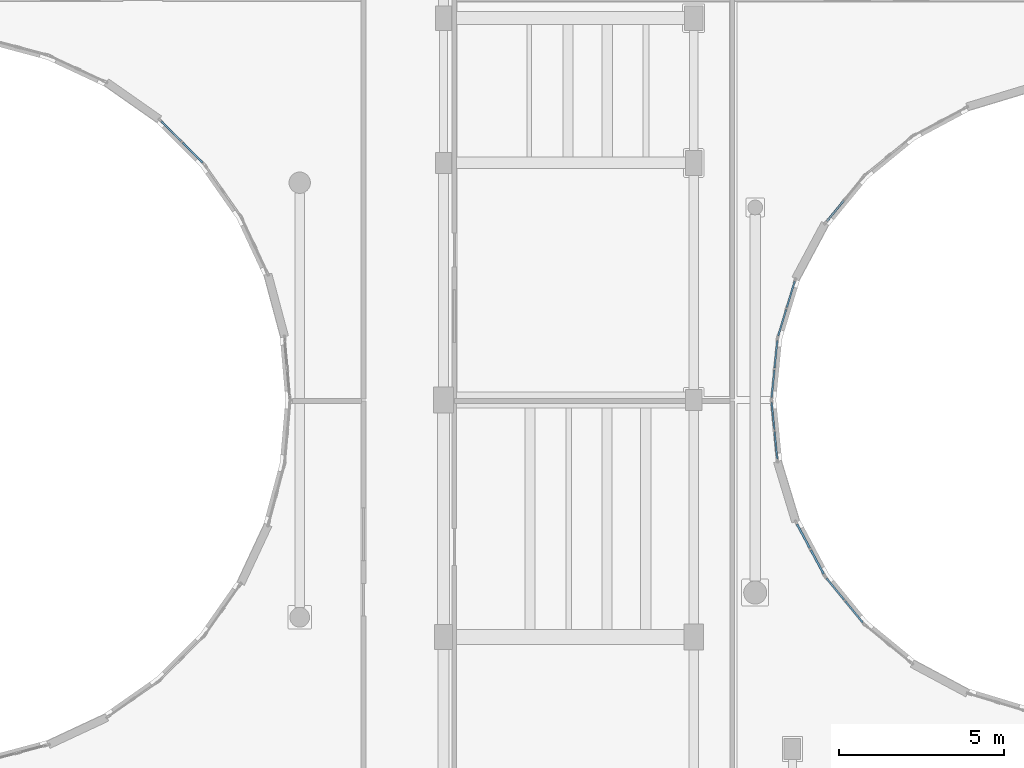
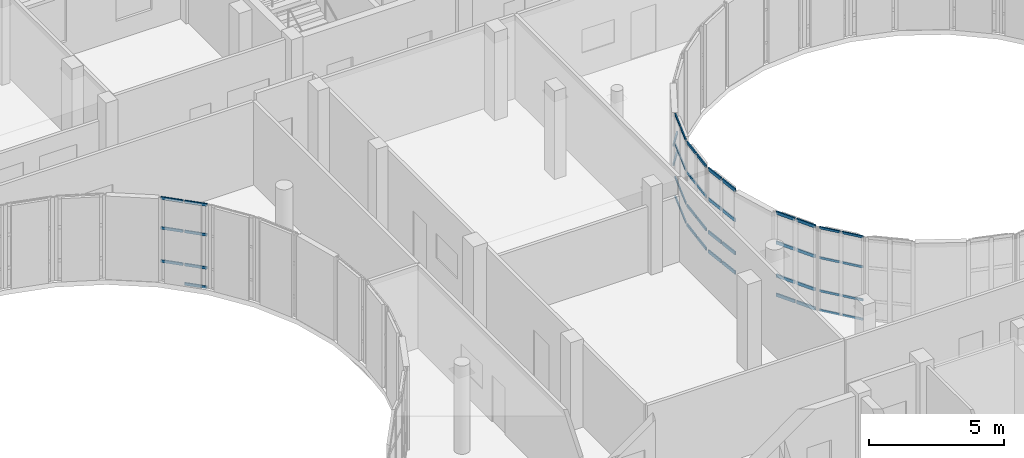
# One storey, part 50 of 92: 49 members, 7 elements without a shape of their own.
"""IFC4 building model written with IfcOpenShell, lengths in metres."""

from ifc_helpers import new_model, si_unit, direction, frame, origin, origin_2d, place, context, subcontext, project, spatial, hollow_rectangle, extrude, material, layer, layer_set, material_profile, profile_set, type_object, element, aggregate, save


model = new_model("IFC4")

# Units and contexts
model_context = context("Model", 3, precision=1e-05, world=origin(), true_north=direction((0.0, 1.0)))
body_context = subcontext(model_context, "Body", "Model", "MODEL_VIEW")
ifc_project = project(units=[si_unit("LENGTHUNIT", "METRE"), si_unit("AREAUNIT", "SQUARE_METRE"), si_unit("VOLUMEUNIT", "CUBIC_METRE"), si_unit("PLANEANGLEUNIT", "RADIAN"), si_unit("MASSUNIT", "GRAM", prefix="KILO")], contexts=[model_context])

# Site, building, storey
site_placement = place(None, origin())
site = spatial("IfcSite", under=ifc_project, at=site_placement, CompositionType="ELEMENT")
building_placement = place(site_placement, origin())
building = spatial("IfcBuilding", under=site, at=building_placement, Name="Kelanivale Promenade Academy", CompositionType="ELEMENT")
storey_placement = place(building_placement, frame((0.0, 0.0, 8.199951171875)))
storey = spatial("IfcBuildingStorey", under=building, at=storey_placement, Name="L02", CompositionType="ELEMENT", Elevation=8.199951171875)

# Curtain wall, members
ifc_material_1 = material(Name="Bronze anodised aluminium and solar-control low-E glass", Category="aluminium")
ifc_layer_1 = layer(ifc_material_1, 0.179931640625)
ifc_layer_set_1 = layer_set([ifc_layer_1], Name="Bronze anodised aluminium and solar-control low-E glass")
curtain_wall_type_1 = type_object("IfcCurtainWallType", Name="CW-17 Curtain Wall 1950mm Module", PredefinedType="USERDEFINED", material=ifc_layer_set_1)
curtain_wall_1_placement = place(storey_placement, origin())
curtain_wall_1 = element("IfcCurtainWall", 1, at=curtain_wall_1_placement, inside=storey, type_object=curtain_wall_type_1, Name="L02 courtyard curtain wall CW-17", ObjectType="COURTYARD SCREEN GLAZING", PredefinedType="USERDEFINED")
ifc_material_2 = material(Name="Bronze anodised aluminium EN AW-6063 T6", Category="aluminium")
ifc_material_profile_1 = material_profile(ifc_material_2, hollow_rectangle(XDim=0.050048828125, YDim=0.10009765625, WallThickness=0.0029296875, at=origin_2d()), Name="ALU 50x100x3.0")
ifc_profile_set_1 = profile_set([ifc_material_profile_1], Name="Bronze anodised aluminium EN AW-6063 T6")
member_type_1 = type_object("IfcMemberType", Name="CWT-01 ALU 50x100x3.0", PredefinedType="USERDEFINED", material=ifc_profile_set_1)
member_1_placement = place(storey_placement, frame((89.86767578125, 60.404541015625, 0.025146484375), z_axis=(-0.2901943181, -0.956967741223, 0.0), x_axis=(0.956967741223, -0.2901943181, 0.0)))
member_1 = element("IfcMember", 2, at=member_1_placement, type_object=member_type_1, Name="CW-17 transom 1.1", ObjectType="TRANSOM", PredefinedType="USERDEFINED", context=body_context, shape_type="SweptSolid", body=[
    extrude(hollow_rectangle(XDim=0.050048828125, YDim=0.10009765625, WallThickness=0.0029296875, at=origin_2d()), origin(), (0.0, 0.0, 1.0), 0.833740234375),
])
member_2_placement = place(storey_placement, frame((89.86767578125, 60.404541015625, 0.900146484375), z_axis=(-0.2901943181, -0.956967741223, 0.0), x_axis=(0.956967741223, -0.2901943181, 0.0)))
member_2 = element("IfcMember", 3, at=member_2_placement, type_object=member_type_1, Name="CW-17 transom 1.2", ObjectType="TRANSOM", PredefinedType="USERDEFINED", context=body_context, shape_type="SweptSolid", body=[
    extrude(hollow_rectangle(XDim=0.050048828125, YDim=0.10009765625, WallThickness=0.0029296875, at=origin_2d()), origin(), (0.0, 0.0, 1.0), 0.833740234375),
])
member_3_placement = place(storey_placement, frame((89.86767578125, 60.404541015625, 2.400146484375), z_axis=(-0.2901943181, -0.956967741223, 0.0), x_axis=(0.956967741223, -0.2901943181, 0.0)))
member_3 = element("IfcMember", 4, at=member_3_placement, type_object=member_type_1, Name="CW-17 transom 1.3", ObjectType="TRANSOM", PredefinedType="USERDEFINED", context=body_context, shape_type="SweptSolid", body=[
    extrude(hollow_rectangle(XDim=0.050048828125, YDim=0.10009765625, WallThickness=0.0029296875, at=origin_2d()), origin(), (0.0, 0.0, 1.0), 0.833740234375),
])
member_4_placement = place(storey_placement, frame((89.86767578125, 60.404541015625, 3.755126953125), z_axis=(-0.2901943181, -0.956967741223, 0.0), x_axis=(0.956967741223, -0.2901943181, 0.0)))
member_4 = element("IfcMember", 5, at=member_4_placement, type_object=member_type_1, Name="CW-17 transom 1.4", ObjectType="TRANSOM", PredefinedType="USERDEFINED", context=body_context, shape_type="SweptSolid", body=[
    extrude(hollow_rectangle(XDim=0.050048828125, YDim=0.10009765625, WallThickness=0.0029296875, at=origin_2d()), origin(), (0.0, 0.0, 1.0), 0.833740234375),
])
member_5_placement = place(storey_placement, frame((89.6083984375, 59.54931640625, 0.025146484375), z_axis=(-0.2901943181, -0.956967741223, 0.0), x_axis=(0.956967741223, -0.2901943181, 0.0)))
member_5 = element("IfcMember", 6, at=member_5_placement, type_object=member_type_1, Name="CW-17 transom 2.1", ObjectType="TRANSOM", PredefinedType="USERDEFINED", context=body_context, shape_type="SweptSolid", body=[
    extrude(hollow_rectangle(XDim=0.050048828125, YDim=0.10009765625, WallThickness=0.0029296875, at=origin_2d()), origin(), (0.0, 0.0, 1.0), 0.833740234375),
])
member_6_placement = place(storey_placement, frame((89.6083984375, 59.54931640625, 0.900146484375), z_axis=(-0.2901943181, -0.956967741223, 0.0), x_axis=(0.956967741223, -0.2901943181, 0.0)))
member_6 = element("IfcMember", 7, at=member_6_placement, type_object=member_type_1, Name="CW-17 transom 2.2", ObjectType="TRANSOM", PredefinedType="USERDEFINED", context=body_context, shape_type="SweptSolid", body=[
    extrude(hollow_rectangle(XDim=0.050048828125, YDim=0.10009765625, WallThickness=0.0029296875, at=origin_2d()), origin(), (0.0, 0.0, 1.0), 0.833740234375),
])
member_7_placement = place(storey_placement, frame((89.6083984375, 59.54931640625, 2.400146484375), z_axis=(-0.2901943181, -0.956967741223, 0.0), x_axis=(0.956967741223, -0.2901943181, 0.0)))
member_7 = element("IfcMember", 8, at=member_7_placement, type_object=member_type_1, Name="CW-17 transom 2.3", ObjectType="TRANSOM", PredefinedType="USERDEFINED", context=body_context, shape_type="SweptSolid", body=[
    extrude(hollow_rectangle(XDim=0.050048828125, YDim=0.10009765625, WallThickness=0.0029296875, at=origin_2d()), origin(), (0.0, 0.0, 1.0), 0.833740234375),
])
member_8_placement = place(storey_placement, frame((89.6083984375, 59.54931640625, 3.755126953125), z_axis=(-0.2901943181, -0.956967741223, 0.0), x_axis=(0.956967741223, -0.2901943181, 0.0)))
member_8 = element("IfcMember", 9, at=member_8_placement, type_object=member_type_1, Name="CW-17 transom 2.4", ObjectType="TRANSOM", PredefinedType="USERDEFINED", context=body_context, shape_type="SweptSolid", body=[
    extrude(hollow_rectangle(XDim=0.050048828125, YDim=0.10009765625, WallThickness=0.0029296875, at=origin_2d()), origin(), (0.0, 0.0, 1.0), 0.833740234375),
])
aggregate(curtain_wall_1, [member_1, member_2, member_3, member_4, member_5, member_6, member_7, member_8])

ifc_layer_2 = layer(ifc_material_1, 0.159912109375)
ifc_layer_set_2 = layer_set([ifc_layer_2], Name="Bronze anodised aluminium and solar-control low-E glass")
curtain_wall_type_2 = type_object("IfcCurtainWallType", Name="CW-21 Curtain Wall 1650mm Module", PredefinedType="USERDEFINED", material=ifc_layer_set_2)
curtain_wall_2_placement = place(storey_placement, origin())
curtain_wall_2 = element("IfcCurtainWall", 10, at=curtain_wall_2_placement, inside=storey, type_object=curtain_wall_type_2, Name="L02 courtyard curtain wall CW-21", ObjectType="COURTYARD SCREEN GLAZING", PredefinedType="USERDEFINED")
member_9_placement = place(storey_placement, frame((90.8310546875, 51.38671875, 0.025146484375), z_axis=(0.634027534728, -0.773310471419, 0.0), x_axis=(0.773310471419, 0.634027534728, 0.0)))
member_9 = element("IfcMember", 11, at=member_9_placement, type_object=member_type_1, Name="CW-21 transom 1.1", ObjectType="TRANSOM", PredefinedType="USERDEFINED", context=body_context, shape_type="SweptSolid", body=[
    extrude(hollow_rectangle(XDim=0.050048828125, YDim=0.10009765625, WallThickness=0.0029296875, at=origin_2d()), origin(), (0.0, 0.0, 1.0), 0.84130859375),
])
member_10_placement = place(storey_placement, frame((90.8310546875, 51.38671875, 0.900146484375), z_axis=(0.634027534728, -0.773310471419, 0.0), x_axis=(0.773310471419, 0.634027534728, 0.0)))
member_10 = element("IfcMember", 12, at=member_10_placement, type_object=member_type_1, Name="CW-21 transom 1.2", ObjectType="TRANSOM", PredefinedType="USERDEFINED", context=body_context, shape_type="SweptSolid", body=[
    extrude(hollow_rectangle(XDim=0.050048828125, YDim=0.10009765625, WallThickness=0.0029296875, at=origin_2d()), origin(), (0.0, 0.0, 1.0), 0.84130859375),
])
member_11_placement = place(storey_placement, frame((90.8310546875, 51.38671875, 2.400146484375), z_axis=(0.634027534728, -0.773310471419, 0.0), x_axis=(0.773310471419, 0.634027534728, 0.0)))
member_11 = element("IfcMember", 13, at=member_11_placement, type_object=member_type_1, Name="CW-21 transom 1.3", ObjectType="TRANSOM", PredefinedType="USERDEFINED", context=body_context, shape_type="SweptSolid", body=[
    extrude(hollow_rectangle(XDim=0.050048828125, YDim=0.10009765625, WallThickness=0.0029296875, at=origin_2d()), origin(), (0.0, 0.0, 1.0), 0.84130859375),
])
member_12_placement = place(storey_placement, frame((90.8310546875, 51.38671875, 3.755126953125), z_axis=(0.634027534728, -0.773310471419, 0.0), x_axis=(0.773310471419, 0.634027534728, 0.0)))
member_12 = element("IfcMember", 14, at=member_12_placement, type_object=member_type_1, Name="CW-21 transom 1.4", ObjectType="TRANSOM", PredefinedType="USERDEFINED", context=body_context, shape_type="SweptSolid", body=[
    extrude(hollow_rectangle(XDim=0.050048828125, YDim=0.10009765625, WallThickness=0.0029296875, at=origin_2d()), origin(), (0.0, 0.0, 1.0), 0.84130859375),
])
member_13_placement = place(storey_placement, frame((91.402587890625, 50.689697265625, 0.025146484375), z_axis=(0.634169827677, -0.773193785324, 0.0), x_axis=(0.773193785324, 0.634169827677, 0.0)))
member_13 = element("IfcMember", 15, at=member_13_placement, type_object=member_type_1, Name="CW-21 transom 2.1", ObjectType="TRANSOM", PredefinedType="USERDEFINED", context=body_context, shape_type="SweptSolid", body=[
    extrude(hollow_rectangle(XDim=0.050048828125, YDim=0.10009765625, WallThickness=0.0029296875, at=origin_2d()), origin(), (0.0, 0.0, 1.0), 0.841064453125),
])
member_14_placement = place(storey_placement, frame((91.402587890625, 50.689697265625, 0.900146484375), z_axis=(0.634169827677, -0.773193785324, 0.0), x_axis=(0.773193785324, 0.634169827677, 0.0)))
member_14 = element("IfcMember", 16, at=member_14_placement, type_object=member_type_1, Name="CW-21 transom 2.2", ObjectType="TRANSOM", PredefinedType="USERDEFINED", context=body_context, shape_type="SweptSolid", body=[
    extrude(hollow_rectangle(XDim=0.050048828125, YDim=0.10009765625, WallThickness=0.0029296875, at=origin_2d()), origin(), (0.0, 0.0, 1.0), 0.841064453125),
])
member_15_placement = place(storey_placement, frame((91.402587890625, 50.689697265625, 2.400146484375), z_axis=(0.634169827677, -0.773193785324, 0.0), x_axis=(0.773193785324, 0.634169827677, 0.0)))
member_15 = element("IfcMember", 17, at=member_15_placement, type_object=member_type_1, Name="CW-21 transom 2.3", ObjectType="TRANSOM", PredefinedType="USERDEFINED", context=body_context, shape_type="SweptSolid", body=[
    extrude(hollow_rectangle(XDim=0.050048828125, YDim=0.10009765625, WallThickness=0.0029296875, at=origin_2d()), origin(), (0.0, 0.0, 1.0), 0.841064453125),
])
member_16_placement = place(storey_placement, frame((91.402587890625, 50.689697265625, 3.755126953125), z_axis=(0.634169827677, -0.773193785324, 0.0), x_axis=(0.773193785324, 0.634169827677, 0.0)))
member_16 = element("IfcMember", 18, at=member_16_placement, type_object=member_type_1, Name="CW-21 transom 2.4", ObjectType="TRANSOM", PredefinedType="USERDEFINED", context=body_context, shape_type="SweptSolid", body=[
    extrude(hollow_rectangle(XDim=0.050048828125, YDim=0.10009765625, WallThickness=0.0029296875, at=origin_2d()), origin(), (0.0, 0.0, 1.0), 0.841064453125),
])
aggregate(curtain_wall_2, [member_9, member_10, member_11, member_12, member_13, member_14, member_15, member_16])

ifc_layer_3 = layer(ifc_material_1, 0.159912109375)
ifc_layer_set_3 = layer_set([ifc_layer_3], Name="Bronze anodised aluminium and solar-control low-E glass")
curtain_wall_type_3 = type_object("IfcCurtainWallType", Name="CW-18 Curtain Wall 1200mm Module", PredefinedType="USERDEFINED", material=ifc_layer_set_3)
curtain_wall_3_placement = place(storey_placement, origin())
curtain_wall_3 = element("IfcCurtainWall", 19, at=curtain_wall_3_placement, inside=storey, type_object=curtain_wall_type_3, Name="L02 courtyard curtain wall CW-18", ObjectType="COURTYARD SCREEN GLAZING", PredefinedType="USERDEFINED")
ifc_material_profile_2 = material_profile(ifc_material_2, hollow_rectangle(XDim=0.050048828125, YDim=0.1201171875, WallThickness=0.0029296875, at=origin_2d()), Name="ALU 50x120x3.0")
ifc_profile_set_2 = profile_set([ifc_material_profile_2], Name="Bronze anodised aluminium EN AW-6063 T6")
member_type_2 = type_object("IfcMemberType", Name="CWT-02 ALU 50x120x3.0", PredefinedType="USERDEFINED", material=ifc_profile_set_2)
member_17_placement = place(storey_placement, frame((89.338134765625, 58.607177734375, 0.025146484375), z_axis=(-0.098411444095, -0.995145812266, 0.0), x_axis=(0.995145812266, -0.098411444095, 0.0)))
member_17 = element("IfcMember", 20, at=member_17_placement, type_object=member_type_2, Name="CW-18 transom 1.1", ObjectType="TRANSOM", PredefinedType="USERDEFINED", context=body_context, shape_type="SweptSolid", body=[
    extrude(hollow_rectangle(XDim=0.050048828125, YDim=0.1201171875, WallThickness=0.0029296875, at=origin_2d()), origin(), (0.0, 0.0, 1.0), 0.841064453125),
])
member_18_placement = place(storey_placement, frame((89.338134765625, 58.607177734375, 0.900146484375), z_axis=(-0.098411444095, -0.995145812266, 0.0), x_axis=(0.995145812266, -0.098411444095, 0.0)))
member_18 = element("IfcMember", 21, at=member_18_placement, type_object=member_type_2, Name="CW-18 transom 1.2", ObjectType="TRANSOM", PredefinedType="USERDEFINED", context=body_context, shape_type="SweptSolid", body=[
    extrude(hollow_rectangle(XDim=0.050048828125, YDim=0.1201171875, WallThickness=0.0029296875, at=origin_2d()), origin(), (0.0, 0.0, 1.0), 0.841064453125),
])
member_19_placement = place(storey_placement, frame((89.338134765625, 58.607177734375, 2.400146484375), z_axis=(-0.098411444095, -0.995145812266, 0.0), x_axis=(0.995145812266, -0.098411444095, 0.0)))
member_19 = element("IfcMember", 22, at=member_19_placement, type_object=member_type_2, Name="CW-18 transom 1.3", ObjectType="TRANSOM", PredefinedType="USERDEFINED", context=body_context, shape_type="SweptSolid", body=[
    extrude(hollow_rectangle(XDim=0.050048828125, YDim=0.1201171875, WallThickness=0.0029296875, at=origin_2d()), origin(), (0.0, 0.0, 1.0), 0.841064453125),
])
member_20_placement = place(storey_placement, frame((89.338134765625, 58.607177734375, 3.755126953125), z_axis=(-0.098411444095, -0.995145812266, 0.0), x_axis=(0.995145812266, -0.098411444095, 0.0)))
member_20 = element("IfcMember", 23, at=member_20_placement, type_object=member_type_2, Name="CW-18 transom 1.4", ObjectType="TRANSOM", PredefinedType="USERDEFINED", context=body_context, shape_type="SweptSolid", body=[
    extrude(hollow_rectangle(XDim=0.050048828125, YDim=0.1201171875, WallThickness=0.0029296875, at=origin_2d()), origin(), (0.0, 0.0, 1.0), 0.841064453125),
])
member_21_placement = place(storey_placement, frame((89.24951171875, 57.710693359375, 0.025146484375), z_axis=(-0.098123944036, -0.995174201639, 0.0), x_axis=(0.995174201639, -0.098123944036, 0.0)))
member_21 = element("IfcMember", 24, at=member_21_placement, type_object=member_type_2, Name="CW-18 transom 2.1", ObjectType="TRANSOM", PredefinedType="USERDEFINED", context=body_context, shape_type="SweptSolid", body=[
    extrude(hollow_rectangle(XDim=0.050048828125, YDim=0.1201171875, WallThickness=0.0029296875, at=origin_2d()), origin(), (0.0, 0.0, 1.0), 0.841064453125),
])
member_22_placement = place(storey_placement, frame((89.24951171875, 57.710693359375, 0.900146484375), z_axis=(-0.098123944036, -0.995174201639, 0.0), x_axis=(0.995174201639, -0.098123944036, 0.0)))
member_22 = element("IfcMember", 25, at=member_22_placement, type_object=member_type_2, Name="CW-18 transom 2.2", ObjectType="TRANSOM", PredefinedType="USERDEFINED", context=body_context, shape_type="SweptSolid", body=[
    extrude(hollow_rectangle(XDim=0.050048828125, YDim=0.1201171875, WallThickness=0.0029296875, at=origin_2d()), origin(), (0.0, 0.0, 1.0), 0.841064453125),
])
member_23_placement = place(storey_placement, frame((89.24951171875, 57.710693359375, 2.400146484375), z_axis=(-0.098123944036, -0.995174201639, 0.0), x_axis=(0.995174201639, -0.098123944036, 0.0)))
member_23 = element("IfcMember", 26, at=member_23_placement, type_object=member_type_2, Name="CW-18 transom 2.3", ObjectType="TRANSOM", PredefinedType="USERDEFINED", context=body_context, shape_type="SweptSolid", body=[
    extrude(hollow_rectangle(XDim=0.050048828125, YDim=0.1201171875, WallThickness=0.0029296875, at=origin_2d()), origin(), (0.0, 0.0, 1.0), 0.841064453125),
])
member_24_placement = place(storey_placement, frame((89.24951171875, 57.710693359375, 3.755126953125), z_axis=(-0.098123944036, -0.995174201639, 0.0), x_axis=(0.995174201639, -0.098123944036, 0.0)))
member_24 = element("IfcMember", 27, at=member_24_placement, type_object=member_type_2, Name="CW-18 transom 2.4", ObjectType="TRANSOM", PredefinedType="USERDEFINED", context=body_context, shape_type="SweptSolid", body=[
    extrude(hollow_rectangle(XDim=0.050048828125, YDim=0.1201171875, WallThickness=0.0029296875, at=origin_2d()), origin(), (0.0, 0.0, 1.0), 0.841064453125),
])
aggregate(curtain_wall_3, [member_17, member_18, member_19, member_20, member_21, member_22, member_23, member_24])

ifc_layer_4 = layer(ifc_material_1, 0.169921875)
ifc_layer_set_4 = layer_set([ifc_layer_4], Name="Bronze anodised aluminium and solar-control low-E glass")
curtain_wall_type_4 = type_object("IfcCurtainWallType", Name="CW-10 Curtain Wall 1800mm Module", PredefinedType="USERDEFINED", material=ifc_layer_set_4)
curtain_wall_4_placement = place(storey_placement, origin())
curtain_wall_4 = element("IfcCurtainWall", 28, at=curtain_wall_4_placement, inside=storey, type_object=curtain_wall_type_4, Name="L02 courtyard curtain wall CW-10", ObjectType="UNITISED GLAZING", PredefinedType="USERDEFINED")
member_25_placement = place(storey_placement, frame((71.882568359375, 64.012451171875, 0.025146484375), z_axis=(-0.707106781187, 0.707106781187, 0.0), x_axis=(-0.707106781187, -0.707106781187, 0.0)))
member_25 = element("IfcMember", 29, at=member_25_placement, type_object=member_type_2, Name="CW-10 transom 1.1", ObjectType="TRANSOM", PredefinedType="USERDEFINED", context=body_context, shape_type="SweptSolid", body=[
    extrude(hollow_rectangle(XDim=0.050048828125, YDim=0.1201171875, WallThickness=0.0029296875, at=origin_2d()), origin(), (0.0, 0.0, 1.0), 0.8603515625),
])
member_26_placement = place(storey_placement, frame((71.882568359375, 64.012451171875, 0.900146484375), z_axis=(-0.707106781187, 0.707106781187, 0.0), x_axis=(-0.707106781187, -0.707106781187, 0.0)))
member_26 = element("IfcMember", 30, at=member_26_placement, type_object=member_type_2, Name="CW-10 transom 1.2", ObjectType="TRANSOM", PredefinedType="USERDEFINED", context=body_context, shape_type="SweptSolid", body=[
    extrude(hollow_rectangle(XDim=0.050048828125, YDim=0.1201171875, WallThickness=0.0029296875, at=origin_2d()), origin(), (0.0, 0.0, 1.0), 0.8603515625),
])
member_27_placement = place(storey_placement, frame((71.882568359375, 64.012451171875, 2.400146484375), z_axis=(-0.707106781187, 0.707106781187, 0.0), x_axis=(-0.707106781187, -0.707106781187, 0.0)))
member_27 = element("IfcMember", 31, at=member_27_placement, type_object=member_type_2, Name="CW-10 transom 1.3", ObjectType="TRANSOM", PredefinedType="USERDEFINED", context=body_context, shape_type="SweptSolid", body=[
    extrude(hollow_rectangle(XDim=0.050048828125, YDim=0.1201171875, WallThickness=0.0029296875, at=origin_2d()), origin(), (0.0, 0.0, 1.0), 0.8603515625),
])
member_28_placement = place(storey_placement, frame((71.882568359375, 64.012451171875, 3.755126953125), z_axis=(-0.707106781187, 0.707106781187, 0.0), x_axis=(-0.707106781187, -0.707106781187, 0.0)))
member_28 = element("IfcMember", 32, at=member_28_placement, type_object=member_type_2, Name="CW-10 transom 1.4", ObjectType="TRANSOM", PredefinedType="USERDEFINED", context=body_context, shape_type="SweptSolid", body=[
    extrude(hollow_rectangle(XDim=0.050048828125, YDim=0.1201171875, WallThickness=0.0029296875, at=origin_2d()), origin(), (0.0, 0.0, 1.0), 0.8603515625),
])
member_29_placement = place(storey_placement, frame((71.231689453125, 64.663330078125, 0.900146484375), z_axis=(-0.707106781187, 0.707106781187, 0.0), x_axis=(-0.707106781187, -0.707106781187, 0.0)))
member_29 = element("IfcMember", 33, at=member_29_placement, type_object=member_type_2, Name="CW-10 transom 2.2", ObjectType="TRANSOM", PredefinedType="USERDEFINED", context=body_context, shape_type="SweptSolid", body=[
    extrude(hollow_rectangle(XDim=0.050048828125, YDim=0.1201171875, WallThickness=0.0029296875, at=origin_2d()), origin(), (0.0, 0.0, 1.0), 0.860107421875),
])
member_30_placement = place(storey_placement, frame((71.231689453125, 64.663330078125, 2.400146484375), z_axis=(-0.707106781187, 0.707106781187, 0.0), x_axis=(-0.707106781187, -0.707106781187, 0.0)))
member_30 = element("IfcMember", 34, at=member_30_placement, type_object=member_type_2, Name="CW-10 transom 2.3", ObjectType="TRANSOM", PredefinedType="USERDEFINED", context=body_context, shape_type="SweptSolid", body=[
    extrude(hollow_rectangle(XDim=0.050048828125, YDim=0.1201171875, WallThickness=0.0029296875, at=origin_2d()), origin(), (0.0, 0.0, 1.0), 0.860107421875),
])
member_31_placement = place(storey_placement, frame((71.231689453125, 64.663330078125, 3.755126953125), z_axis=(-0.707106781187, 0.707106781187, 0.0), x_axis=(-0.707106781187, -0.707106781187, 0.0)))
member_31 = element("IfcMember", 35, at=member_31_placement, type_object=member_type_2, Name="CW-10 transom 2.4", ObjectType="TRANSOM", PredefinedType="USERDEFINED", context=body_context, shape_type="SweptSolid", body=[
    extrude(hollow_rectangle(XDim=0.050048828125, YDim=0.1201171875, WallThickness=0.0029296875, at=origin_2d()), origin(), (0.0, 0.0, 1.0), 0.860107421875),
])
aggregate(curtain_wall_4, [member_25, member_26, member_27, member_28, member_29, member_30, member_31])

ifc_layer_5 = layer(ifc_material_1, 0.169921875)
ifc_layer_set_5 = layer_set([ifc_layer_5], Name="Bronze anodised aluminium and solar-control low-E glass")
curtain_wall_type_5 = type_object("IfcCurtainWallType", Name="CW-19 Curtain Wall 1350mm Module", PredefinedType="USERDEFINED", material=ifc_layer_set_5)
curtain_wall_5_placement = place(storey_placement, origin())
curtain_wall_5 = element("IfcCurtainWall", 36, at=curtain_wall_5_placement, inside=storey, type_object=curtain_wall_type_5, Name="L02 courtyard curtain wall CW-19", ObjectType="COURTYARD SCREEN GLAZING", PredefinedType="USERDEFINED")
ifc_material_profile_3 = material_profile(ifc_material_2, hollow_rectangle(XDim=0.050048828125, YDim=0.14990234375, WallThickness=0.00341796875, at=origin_2d()), Name="ALU 50x150x3.5")
ifc_profile_set_3 = profile_set([ifc_material_profile_3], Name="Bronze anodised aluminium EN AW-6063 T6")
member_type_3 = type_object("IfcMemberType", Name="CWT-03 ALU 50x150x3.5", PredefinedType="USERDEFINED", material=ifc_profile_set_3)
member_32_placement = place(storey_placement, frame((89.16748046875, 56.721435546875, 0.025146484375), z_axis=(0.0984209217, -0.995144874966, 0.0), x_axis=(0.995144874966, 0.0984209217, 0.0)))
member_32 = element("IfcMember", 37, at=member_32_placement, type_object=member_type_3, Name="CW-19 transom 1.1", ObjectType="TRANSOM", PredefinedType="USERDEFINED", context=body_context, shape_type="SweptSolid", body=[
    extrude(hollow_rectangle(XDim=0.050048828125, YDim=0.14990234375, WallThickness=0.00341796875, at=origin_2d()), origin(), (0.0, 0.0, 1.0), 0.825927734375),
])
member_33_placement = place(storey_placement, frame((89.16748046875, 56.721435546875, 0.900146484375), z_axis=(0.0984209217, -0.995144874966, 0.0), x_axis=(0.995144874966, 0.0984209217, 0.0)))
member_33 = element("IfcMember", 38, at=member_33_placement, type_object=member_type_3, Name="CW-19 transom 1.2", ObjectType="TRANSOM", PredefinedType="USERDEFINED", context=body_context, shape_type="SweptSolid", body=[
    extrude(hollow_rectangle(XDim=0.050048828125, YDim=0.14990234375, WallThickness=0.00341796875, at=origin_2d()), origin(), (0.0, 0.0, 1.0), 0.825927734375),
])
member_34_placement = place(storey_placement, frame((89.16748046875, 56.721435546875, 2.400146484375), z_axis=(0.0984209217, -0.995144874966, 0.0), x_axis=(0.995144874966, 0.0984209217, 0.0)))
member_34 = element("IfcMember", 39, at=member_34_placement, type_object=member_type_3, Name="CW-19 transom 1.3", ObjectType="TRANSOM", PredefinedType="USERDEFINED", context=body_context, shape_type="SweptSolid", body=[
    extrude(hollow_rectangle(XDim=0.050048828125, YDim=0.14990234375, WallThickness=0.00341796875, at=origin_2d()), origin(), (0.0, 0.0, 1.0), 0.825927734375),
])
member_35_placement = place(storey_placement, frame((89.16748046875, 56.721435546875, 3.755126953125), z_axis=(0.0984209217, -0.995144874966, 0.0), x_axis=(0.995144874966, 0.0984209217, 0.0)))
member_35 = element("IfcMember", 40, at=member_35_placement, type_object=member_type_3, Name="CW-19 transom 1.4", ObjectType="TRANSOM", PredefinedType="USERDEFINED", context=body_context, shape_type="SweptSolid", body=[
    extrude(hollow_rectangle(XDim=0.050048828125, YDim=0.14990234375, WallThickness=0.00341796875, at=origin_2d()), origin(), (0.0, 0.0, 1.0), 0.825927734375),
])
member_36_placement = place(storey_placement, frame((89.255126953125, 55.834716796875, 0.025146484375), z_axis=(0.098713604262, -0.995115884877, 0.0), x_axis=(0.995115884877, 0.098713604262, 0.0)))
member_36 = element("IfcMember", 41, at=member_36_placement, type_object=member_type_3, Name="CW-19 transom 2.1", ObjectType="TRANSOM", PredefinedType="USERDEFINED", context=body_context, shape_type="SweptSolid", body=[
    extrude(hollow_rectangle(XDim=0.050048828125, YDim=0.14990234375, WallThickness=0.00341796875, at=origin_2d()), origin(), (0.0, 0.0, 1.0), 0.826171875),
])
member_37_placement = place(storey_placement, frame((89.255126953125, 55.834716796875, 0.900146484375), z_axis=(0.098713604262, -0.995115884877, 0.0), x_axis=(0.995115884877, 0.098713604262, 0.0)))
member_37 = element("IfcMember", 42, at=member_37_placement, type_object=member_type_3, Name="CW-19 transom 2.2", ObjectType="TRANSOM", PredefinedType="USERDEFINED", context=body_context, shape_type="SweptSolid", body=[
    extrude(hollow_rectangle(XDim=0.050048828125, YDim=0.14990234375, WallThickness=0.00341796875, at=origin_2d()), origin(), (0.0, 0.0, 1.0), 0.826171875),
])
member_38_placement = place(storey_placement, frame((89.255126953125, 55.834716796875, 2.400146484375), z_axis=(0.098713604262, -0.995115884877, 0.0), x_axis=(0.995115884877, 0.098713604262, 0.0)))
member_38 = element("IfcMember", 43, at=member_38_placement, type_object=member_type_3, Name="CW-19 transom 2.3", ObjectType="TRANSOM", PredefinedType="USERDEFINED", context=body_context, shape_type="SweptSolid", body=[
    extrude(hollow_rectangle(XDim=0.050048828125, YDim=0.14990234375, WallThickness=0.00341796875, at=origin_2d()), origin(), (0.0, 0.0, 1.0), 0.826171875),
])
member_39_placement = place(storey_placement, frame((89.255126953125, 55.834716796875, 3.755126953125), z_axis=(0.098713604262, -0.995115884877, 0.0), x_axis=(0.995115884877, 0.098713604262, 0.0)))
member_39 = element("IfcMember", 44, at=member_39_placement, type_object=member_type_3, Name="CW-19 transom 2.4", ObjectType="TRANSOM", PredefinedType="USERDEFINED", context=body_context, shape_type="SweptSolid", body=[
    extrude(hollow_rectangle(XDim=0.050048828125, YDim=0.14990234375, WallThickness=0.00341796875, at=origin_2d()), origin(), (0.0, 0.0, 1.0), 0.826171875),
])
aggregate(curtain_wall_5, [member_32, member_33, member_34, member_35, member_36, member_37, member_38, member_39])

ifc_layer_6 = layer(ifc_material_1, 0.169921875)
ifc_layer_set_6 = layer_set([ifc_layer_6], Name="Bronze anodised aluminium and solar-control low-E glass")
curtain_wall_type_6 = type_object("IfcCurtainWallType", Name="CW-16 Curtain Wall 1800mm Module", PredefinedType="USERDEFINED", material=ifc_layer_set_6)
curtain_wall_6_placement = place(storey_placement, origin())
curtain_wall_6 = element("IfcCurtainWall", 45, at=curtain_wall_6_placement, inside=storey, type_object=curtain_wall_type_6, Name="L02 courtyard curtain wall CW-16", ObjectType="COURTYARD SCREEN GLAZING", PredefinedType="USERDEFINED")
ifc_material_profile_4 = material_profile(ifc_material_2, hollow_rectangle(XDim=0.06005859375, YDim=0.139892578125, WallThickness=0.00341796875, at=origin_2d()), Name="ALU 60x140x3.5")
ifc_profile_set_4 = profile_set([ifc_material_profile_4], Name="Bronze anodised aluminium EN AW-6063 T6")
member_type_4 = type_object("IfcMemberType", Name="CWT-04 ALU 60x140x3.5", PredefinedType="USERDEFINED", material=ifc_profile_set_4)
member_40_placement = place(storey_placement, frame((91.367919921875, 62.867919921875, 0.030029296875), z_axis=(-0.634058377853, -0.7732851825, 0.0), x_axis=(0.7732851825, -0.634058377853, 0.0)))
member_40 = element("IfcMember", 46, at=member_40_placement, type_object=member_type_4, Name="CW-16 transom 2.1", ObjectType="TRANSOM", PredefinedType="USERDEFINED", context=body_context, shape_type="SweptSolid", body=[
    extrude(hollow_rectangle(XDim=0.06005859375, YDim=0.139892578125, WallThickness=0.00341796875, at=origin_2d()), origin(), (0.0, 0.0, 1.0), 0.825927734375),
])
member_41_placement = place(storey_placement, frame((91.367919921875, 62.867919921875, 0.900146484375), z_axis=(-0.634058377853, -0.7732851825, 0.0), x_axis=(0.7732851825, -0.634058377853, 0.0)))
member_41 = element("IfcMember", 47, at=member_41_placement, type_object=member_type_4, Name="CW-16 transom 2.2", ObjectType="TRANSOM", PredefinedType="USERDEFINED", context=body_context, shape_type="SweptSolid", body=[
    extrude(hollow_rectangle(XDim=0.06005859375, YDim=0.139892578125, WallThickness=0.00341796875, at=origin_2d()), origin(), (0.0, 0.0, 1.0), 0.825927734375),
])
aggregate(curtain_wall_6, [member_40, member_41])

ifc_layer_7 = layer(ifc_material_1, 0.179931640625)
ifc_layer_set_7 = layer_set([ifc_layer_7], Name="Bronze anodised aluminium and solar-control low-E glass")
curtain_wall_type_7 = type_object("IfcCurtainWallType", Name="CW-20 Curtain Wall 1500mm Module", PredefinedType="USERDEFINED", material=ifc_layer_set_7)
curtain_wall_7_placement = place(storey_placement, origin())
curtain_wall_7 = element("IfcCurtainWall", 48, at=curtain_wall_7_placement, inside=storey, type_object=curtain_wall_type_7, Name="L02 courtyard curtain wall CW-20", ObjectType="COURTYARD SCREEN GLAZING", PredefinedType="USERDEFINED")
member_42_placement = place(storey_placement, frame((89.937744140625, 53.028564453125, 0.030029296875), z_axis=(0.471155419567, -0.882050208669, 0.0), x_axis=(0.882050208669, 0.471155419567, 0.0)))
member_42 = element("IfcMember", 49, at=member_42_placement, type_object=member_type_4, Name="CW-20 transom 1.1", ObjectType="TRANSOM", PredefinedType="USERDEFINED", context=body_context, shape_type="SweptSolid", body=[
    extrude(hollow_rectangle(XDim=0.06005859375, YDim=0.139892578125, WallThickness=0.00341796875, at=origin_2d()), origin(), (0.0, 0.0, 1.0), 0.826416015625),
])
member_43_placement = place(storey_placement, frame((89.937744140625, 53.028564453125, 0.900146484375), z_axis=(0.471155419567, -0.882050208669, 0.0), x_axis=(0.882050208669, 0.471155419567, 0.0)))
member_43 = element("IfcMember", 50, at=member_43_placement, type_object=member_type_4, Name="CW-20 transom 1.2", ObjectType="TRANSOM", PredefinedType="USERDEFINED", context=body_context, shape_type="SweptSolid", body=[
    extrude(hollow_rectangle(XDim=0.06005859375, YDim=0.139892578125, WallThickness=0.00341796875, at=origin_2d()), origin(), (0.0, 0.0, 1.0), 0.826416015625),
])
member_44_placement = place(storey_placement, frame((89.937744140625, 53.028564453125, 2.400146484375), z_axis=(0.471155419567, -0.882050208669, 0.0), x_axis=(0.882050208669, 0.471155419567, 0.0)))
member_44 = element("IfcMember", 51, at=member_44_placement, type_object=member_type_4, Name="CW-20 transom 1.3", ObjectType="TRANSOM", PredefinedType="USERDEFINED", context=body_context, shape_type="SweptSolid", body=[
    extrude(hollow_rectangle(XDim=0.06005859375, YDim=0.139892578125, WallThickness=0.00341796875, at=origin_2d()), origin(), (0.0, 0.0, 1.0), 0.826416015625),
])
member_45_placement = place(storey_placement, frame((89.937744140625, 53.028564453125, 3.75), z_axis=(0.471155419567, -0.882050208669, 0.0), x_axis=(0.882050208669, 0.471155419567, 0.0)))
member_45 = element("IfcMember", 52, at=member_45_placement, type_object=member_type_4, Name="CW-20 transom 1.4", ObjectType="TRANSOM", PredefinedType="USERDEFINED", context=body_context, shape_type="SweptSolid", body=[
    extrude(hollow_rectangle(XDim=0.06005859375, YDim=0.139892578125, WallThickness=0.00341796875, at=origin_2d()), origin(), (0.0, 0.0, 1.0), 0.826416015625),
])
member_46_placement = place(storey_placement, frame((90.35791015625, 52.242431640625, 0.030029296875), z_axis=(0.471155419567, -0.882050208669, 0.0), x_axis=(0.882050208669, 0.471155419567, 0.0)))
member_46 = element("IfcMember", 53, at=member_46_placement, type_object=member_type_4, Name="CW-20 transom 2.1", ObjectType="TRANSOM", PredefinedType="USERDEFINED", context=body_context, shape_type="SweptSolid", body=[
    extrude(hollow_rectangle(XDim=0.06005859375, YDim=0.139892578125, WallThickness=0.00341796875, at=origin_2d()), origin(), (0.0, 0.0, 1.0), 0.826416015625),
])
member_47_placement = place(storey_placement, frame((90.35791015625, 52.242431640625, 0.900146484375), z_axis=(0.471155419567, -0.882050208669, 0.0), x_axis=(0.882050208669, 0.471155419567, 0.0)))
member_47 = element("IfcMember", 54, at=member_47_placement, type_object=member_type_4, Name="CW-20 transom 2.2", ObjectType="TRANSOM", PredefinedType="USERDEFINED", context=body_context, shape_type="SweptSolid", body=[
    extrude(hollow_rectangle(XDim=0.06005859375, YDim=0.139892578125, WallThickness=0.00341796875, at=origin_2d()), origin(), (0.0, 0.0, 1.0), 0.826416015625),
])
member_48_placement = place(storey_placement, frame((90.35791015625, 52.242431640625, 2.400146484375), z_axis=(0.471155419567, -0.882050208669, 0.0), x_axis=(0.882050208669, 0.471155419567, 0.0)))
member_48 = element("IfcMember", 55, at=member_48_placement, type_object=member_type_4, Name="CW-20 transom 2.3", ObjectType="TRANSOM", PredefinedType="USERDEFINED", context=body_context, shape_type="SweptSolid", body=[
    extrude(hollow_rectangle(XDim=0.06005859375, YDim=0.139892578125, WallThickness=0.00341796875, at=origin_2d()), origin(), (0.0, 0.0, 1.0), 0.826416015625),
])
member_49_placement = place(storey_placement, frame((90.35791015625, 52.242431640625, 3.75), z_axis=(0.471155419567, -0.882050208669, 0.0), x_axis=(0.882050208669, 0.471155419567, 0.0)))
member_49 = element("IfcMember", 56, at=member_49_placement, type_object=member_type_4, Name="CW-20 transom 2.4", ObjectType="TRANSOM", PredefinedType="USERDEFINED", context=body_context, shape_type="SweptSolid", body=[
    extrude(hollow_rectangle(XDim=0.06005859375, YDim=0.139892578125, WallThickness=0.00341796875, at=origin_2d()), origin(), (0.0, 0.0, 1.0), 0.826416015625),
])
aggregate(curtain_wall_7, [member_42, member_43, member_44, member_45, member_46, member_47, member_48, member_49])

save(model, "model.ifc")
